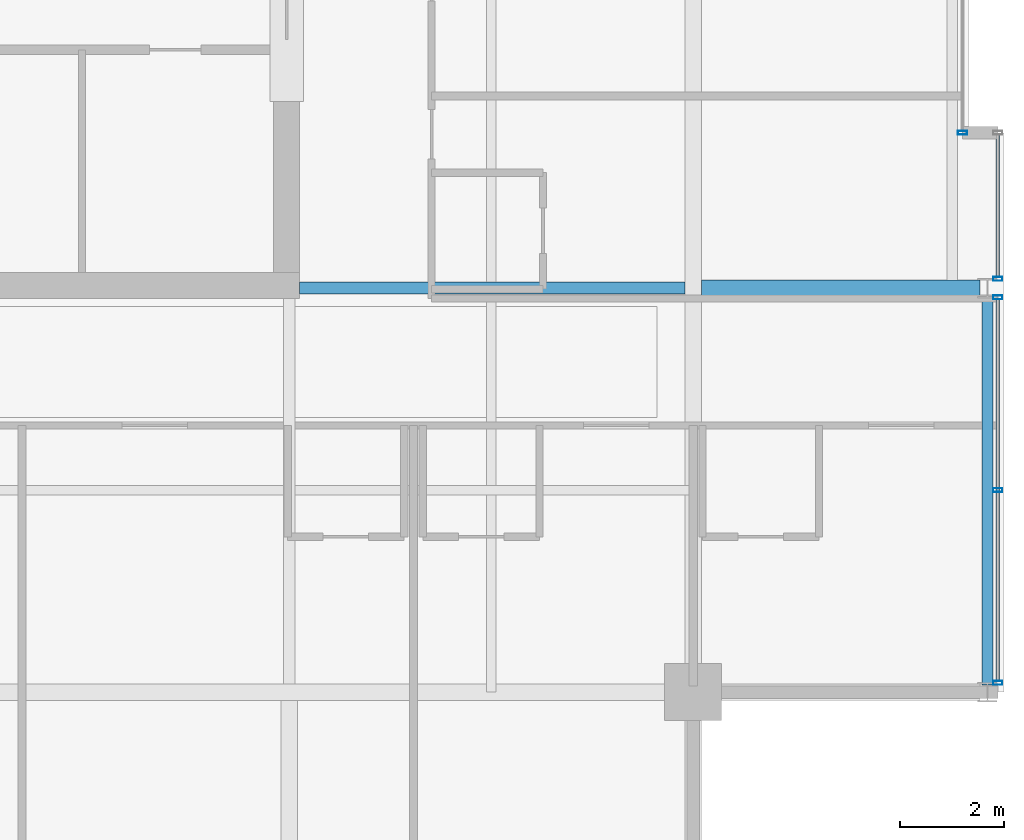
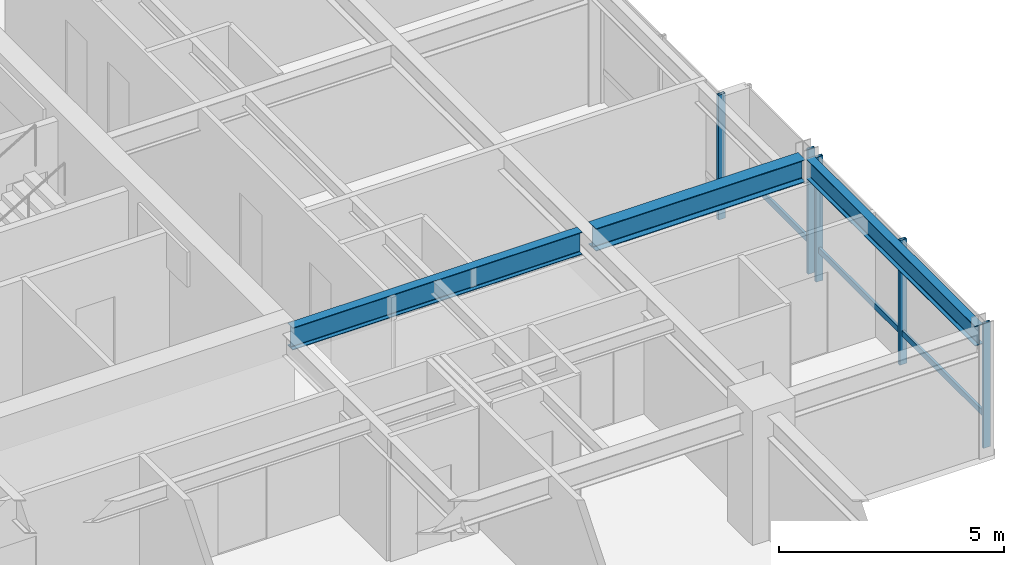
# One storey, part 12 of 32: 7 members, 3 beams, 3 elements without a shape of their own.
"""IFC4 building model written with IfcOpenShell, lengths in metres."""

from ifc_helpers import new_model, si_unit, direction, frame, origin, origin_2d, place, context, subcontext, project, spatial, hollow_rectangle, i_section, extrude, material, layer, layer_set, material_profile, profile_set, type_object, element, aggregate, save


model = new_model("IFC4")

# Units and contexts
model_context = context("Model", 3, precision=1e-05, world=origin(), true_north=direction((0.0, 1.0)))
body_context = subcontext(model_context, "Body", "Model", "MODEL_VIEW")
ifc_project = project(units=[si_unit("LENGTHUNIT", "METRE"), si_unit("AREAUNIT", "SQUARE_METRE"), si_unit("VOLUMEUNIT", "CUBIC_METRE"), si_unit("PLANEANGLEUNIT", "RADIAN"), si_unit("MASSUNIT", "GRAM", prefix="KILO")], contexts=[model_context])

# Site, building, storey
site_placement = place(None, origin())
site = spatial("IfcSite", under=ifc_project, at=site_placement, CompositionType="ELEMENT")
building_placement = place(site_placement, origin())
building = spatial("IfcBuilding", under=site, at=building_placement, Name="Drelvath Grand Hotel", CompositionType="ELEMENT")
storey_placement = place(building_placement, frame((0.0, 0.0, 265.0)))
storey = spatial("IfcBuildingStorey", under=building, at=storey_placement, Name="L69", CompositionType="ELEMENT", Elevation=265.0)

# Curtain wall, member
ifc_material_1 = material(Name="Platinum-Mist Anodised Aluminium Frame", Category="aluminium")
ifc_layer = layer(ifc_material_1, 0.199951171875)
ifc_layer_set = layer_set([ifc_layer], Name="Platinum-Mist Anodised Aluminium Frame")
curtain_wall_type = type_object("IfcCurtainWallType", Name="Stick Curtain Wall CW-05 Platinum Mist High-Rise", PredefinedType="NOTDEFINED", material=ifc_layer_set)
curtain_wall_1_placement = place(storey_placement, origin())
curtain_wall_1 = element("IfcCurtainWall", 1, at=curtain_wall_1_placement, inside=storey, type_object=curtain_wall_type, Name="L69 CW-05 Curtain Wall CW05-L69-ES1", PredefinedType="NOTDEFINED")
ifc_material_profile_1 = material_profile(ifc_material_1, hollow_rectangle(XDim=0.06494140625, YDim=0.159912109375, WallThickness=0.00390625, at=origin_2d()), Name="HSS160X65X4")
ifc_profile_set_1 = profile_set([ifc_material_profile_1], Name="Platinum-Mist Anodised Aluminium Frame")
member_type_1 = type_object("IfcMemberType", Name="Curtain Wall Horizontal Transom CW-05 HSS160X65X4", PredefinedType="USERDEFINED", material=ifc_profile_set_1)
member_1_placement = place(storey_placement, frame((22.080078125, 18.3818359375, 0.847412109375), z_axis=(0.0, -1.0, 0.0), x_axis=(1.0, 0.0, 0.0)))
member_1 = element("IfcMember", 2, at=member_1_placement, type_object=member_type_1, Name="CW05-L69-ES1 Sill Transom", ObjectType="TRANSOM", PredefinedType="USERDEFINED", context=body_context, shape_type="SweptSolid", body=[
    extrude(hollow_rectangle(XDim=0.06494140625, YDim=0.159912109375, WallThickness=0.00390625, at=origin_2d()), origin(), (0.0, 0.0, 1.0), 7.363525390625),
])

curtain_wall_2_placement = place(storey_placement, origin())
curtain_wall_2 = element("IfcCurtainWall", 3, at=curtain_wall_2_placement, inside=storey, type_object=curtain_wall_type, Name="L69 CW-05 Curtain Wall CW05-L69-ES2", PredefinedType="NOTDEFINED")
member_2_placement = place(storey_placement, frame((22.080078125, 21.56005859375, 0.847412109375), z_axis=(0.0, -1.0, 0.0), x_axis=(1.0, 0.0, 0.0)))
member_2 = element("IfcMember", 4, at=member_2_placement, type_object=member_type_1, Name="CW05-L69-ES2 Sill Transom", ObjectType="TRANSOM", PredefinedType="USERDEFINED", context=body_context, shape_type="SweptSolid", body=[
    extrude(hollow_rectangle(XDim=0.06494140625, YDim=0.159912109375, WallThickness=0.00390625, at=origin_2d()), origin(), (0.0, 0.0, 1.0), 2.741943359375),
])

curtain_wall_3_placement = place(storey_placement, origin())
curtain_wall_3 = element("IfcCurtainWall", 5, at=curtain_wall_3_placement, inside=storey, type_object=curtain_wall_type, Name="L69 CW-05 Curtain Wall CW05-L69-EM1", PredefinedType="NOTDEFINED")
ifc_material_profile_2 = material_profile(ifc_material_1, hollow_rectangle(XDim=0.074951171875, YDim=0.179931640625, WallThickness=0.0048828125, at=origin_2d()), Name="HSS180X75X5")
ifc_profile_set_2 = profile_set([ifc_material_profile_2], Name="Platinum-Mist Anodised Aluminium Frame")
member_type_2 = type_object("IfcMemberType", Name="Curtain Wall Vertical Mullion CW-05 HSS180X75X5", PredefinedType="MULLION", material=ifc_profile_set_2)
member_3_placement = place(storey_placement, frame((21.39990234375, 21.60009765625, 0.0), z_axis=(0.0, 0.0, 1.0), x_axis=(0.0, 1.0, 0.0)))
member_3 = element("IfcMember", 6, at=member_3_placement, type_object=member_type_2, Name="CW05-L69-EM1 Mullion 3", PredefinedType="MULLION", context=body_context, shape_type="SweptSolid", body=[
    extrude(hollow_rectangle(XDim=0.074951171875, YDim=0.179931640625, WallThickness=0.0048828125, at=origin_2d()), origin(), (0.0, 0.0, 1.0), 3.389892578125),
])
aggregate(curtain_wall_3, [member_3])

# Member
member_4_placement = place(storey_placement, frame((22.080078125, 18.421875, 0.0), z_axis=(0.0, 0.0, 1.0), x_axis=(0.0, 1.0, 0.0)))
member_4 = element("IfcMember", 7, at=member_4_placement, type_object=member_type_2, Name="CW05-L69-ES1 Mullion 1", PredefinedType="MULLION", context=body_context, shape_type="SweptSolid", body=[
    extrude(hollow_rectangle(XDim=0.074951171875, YDim=0.179931640625, WallThickness=0.0048828125, at=origin_2d()), origin(), (0.0, 0.0, 1.0), 3.389892578125),
])

member_5_placement = place(storey_placement, frame((22.080078125, 14.699951171875, 0.0), z_axis=(0.0, 0.0, 1.0), x_axis=(0.0, 1.0, 0.0)))
member_5 = element("IfcMember", 8, at=member_5_placement, type_object=member_type_2, Name="CW05-L69-ES1 Mullion 2", PredefinedType="MULLION", context=body_context, shape_type="SweptSolid", body=[
    extrude(hollow_rectangle(XDim=0.074951171875, YDim=0.179931640625, WallThickness=0.0048828125, at=origin_2d()), origin(), (0.0, 0.0, 1.0), 3.389892578125),
])

member_6_placement = place(storey_placement, frame((22.080078125, 10.978271484375, 0.0), z_axis=(0.0, 0.0, 1.0), x_axis=(0.0, 1.0, 0.0)))
member_6 = element("IfcMember", 9, at=member_6_placement, type_object=member_type_2, Name="CW05-L69-ES1 Mullion 3", PredefinedType="MULLION", context=body_context, shape_type="SweptSolid", body=[
    extrude(hollow_rectangle(XDim=0.074951171875, YDim=0.179931640625, WallThickness=0.0048828125, at=origin_2d()), origin(), (0.0, 0.0, 1.0), 3.389892578125),
])

aggregate(curtain_wall_1, [member_4, member_5, member_6, member_1])

member_7_placement = place(storey_placement, frame((22.080078125, 18.7783203125, 0.0), z_axis=(0.0, 0.0, 1.0), x_axis=(0.0, 1.0, 0.0)))
member_7 = element("IfcMember", 10, at=member_7_placement, type_object=member_type_2, Name="CW05-L69-ES2 Mullion 2", PredefinedType="MULLION", context=body_context, shape_type="SweptSolid", body=[
    extrude(hollow_rectangle(XDim=0.074951171875, YDim=0.179931640625, WallThickness=0.0048828125, at=origin_2d()), origin(), (0.0, 0.0, 1.0), 3.389892578125),
])

aggregate(curtain_wall_2, [member_7, member_2])

# Beams
ifc_material_2 = material(Name="Steel ASTM A992 Gr 50", Category="steel")
ifc_material_profile_3 = material_profile(ifc_material_2, i_section(OverallWidth=0.210205078125, OverallDepth=0.53662109375, WebThickness=0.010986328125, FlangeThickness=0.017333984375, FilletRadius=0.01806640625, at=origin_2d()), Name="W21X68")
ifc_profile_set_3 = profile_set([ifc_material_profile_3], Name="Steel ASTM A992 Gr 50")
beam_type_1 = type_object("IfcBeamType", Name="Perimeter Spandrel Beam W21X68", PredefinedType="SPANDREL", material=ifc_profile_set_3)
beam_1_placement = place(storey_placement, frame((21.8798828125, 10.93994140625, 3.12158203125), z_axis=(0.0, 1.0, 0.0), x_axis=(-1.0, 0.0, 0.0)))
element("IfcBeam", 11, at=beam_1_placement, inside=storey, type_object=beam_type_1, Name="L69 Spandrel East S", PredefinedType="SPANDREL", context=body_context, shape_type="SweptSolid", body=[
    extrude(i_section(OverallWidth=0.210205078125, OverallDepth=0.53662109375, WebThickness=0.010986328125, FlangeThickness=0.017333984375, FilletRadius=0.01806640625, at=origin_2d()), origin(), (0.0, 0.0, 1.0), 7.52001953125),
])
ifc_material_profile_4 = material_profile(ifc_material_2, i_section(OverallWidth=0.323974609375, OverallDepth=0.611083984375, WebThickness=0.0126953125, FlangeThickness=0.01904296875, FilletRadius=0.02197265625, at=origin_2d()), Name="W24X104")
ifc_profile_set_4 = profile_set([ifc_material_profile_4], Name="Steel ASTM A992 Gr 50")
beam_type_2 = type_object("IfcBeamType", Name="Primary Floor Girder W24X104", PredefinedType="BEAM", material=ifc_profile_set_4)
beam_2_placement = place(storey_placement, frame((16.362060546875, 18.60009765625, 3.08447265625), z_axis=(1.0, 0.0, 0.0), x_axis=(0.0, 1.0, 0.0)))
element("IfcBeam", 12, at=beam_2_placement, inside=storey, type_object=beam_type_2, Name="L69 East Wing Girder D", PredefinedType="BEAM", context=body_context, shape_type="SweptSolid", body=[
    extrude(i_section(OverallWidth=0.323974609375, OverallDepth=0.611083984375, WebThickness=0.0126953125, FlangeThickness=0.01904296875, FilletRadius=0.02197265625, at=origin_2d()), origin(), (0.0, 0.0, 1.0), 5.3779296875),
])
ifc_material_profile_5 = material_profile(ifc_material_2, i_section(OverallWidth=0.228271484375, OverallDepth=0.607666015625, WebThickness=0.01123046875, FlangeThickness=0.017333984375, FilletRadius=0.02001953125, at=origin_2d()), Name="W24X76")
ifc_profile_set_5 = profile_set([ifc_material_profile_5], Name="Steel ASTM A992 Gr 50")
beam_type_3 = type_object("IfcBeamType", Name="Primary Floor Girder W24X76", PredefinedType="BEAM", material=ifc_profile_set_5)
beam_3_placement = place(storey_placement, frame((8.60009765625, 18.60009765625, 3.086181640625), z_axis=(1.0, 0.0, 0.0), x_axis=(0.0, 1.0, 0.0)))
element("IfcBeam", 13, at=beam_3_placement, inside=storey, type_object=beam_type_3, Name="L69 East Core Tie D", PredefinedType="BEAM", context=body_context, shape_type="SweptSolid", body=[
    extrude(i_section(OverallWidth=0.228271484375, OverallDepth=0.607666015625, WebThickness=0.01123046875, FlangeThickness=0.017333984375, FilletRadius=0.02001953125, at=origin_2d()), origin(), (0.0, 0.0, 1.0), 7.43798828125),
])

save(model, "model.ifc")
